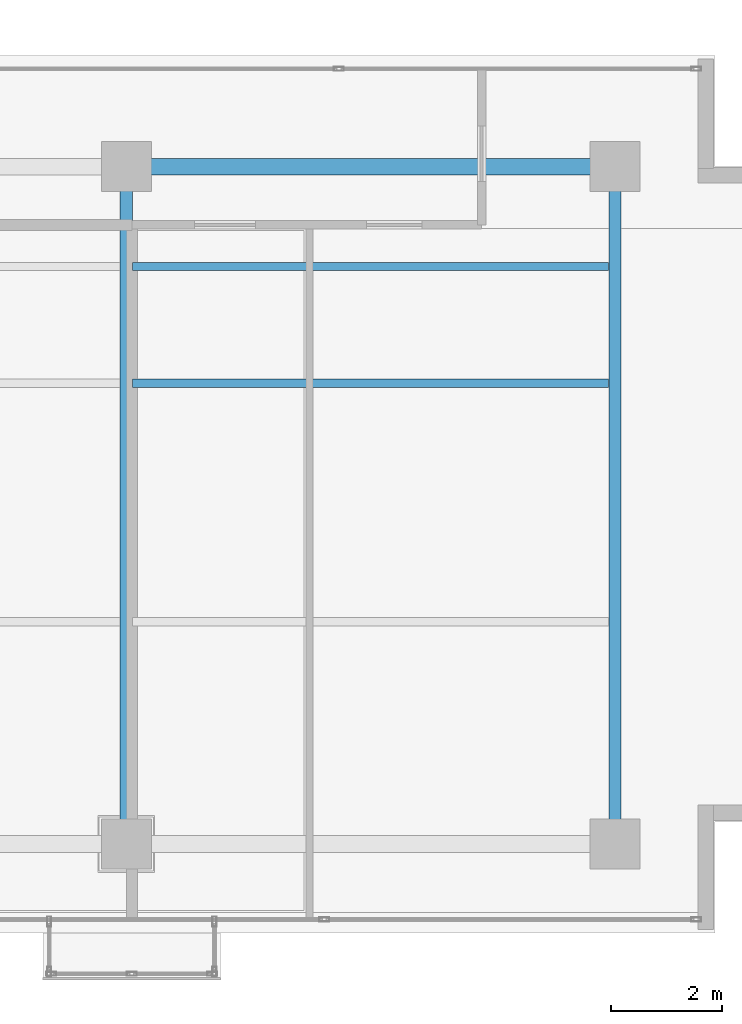
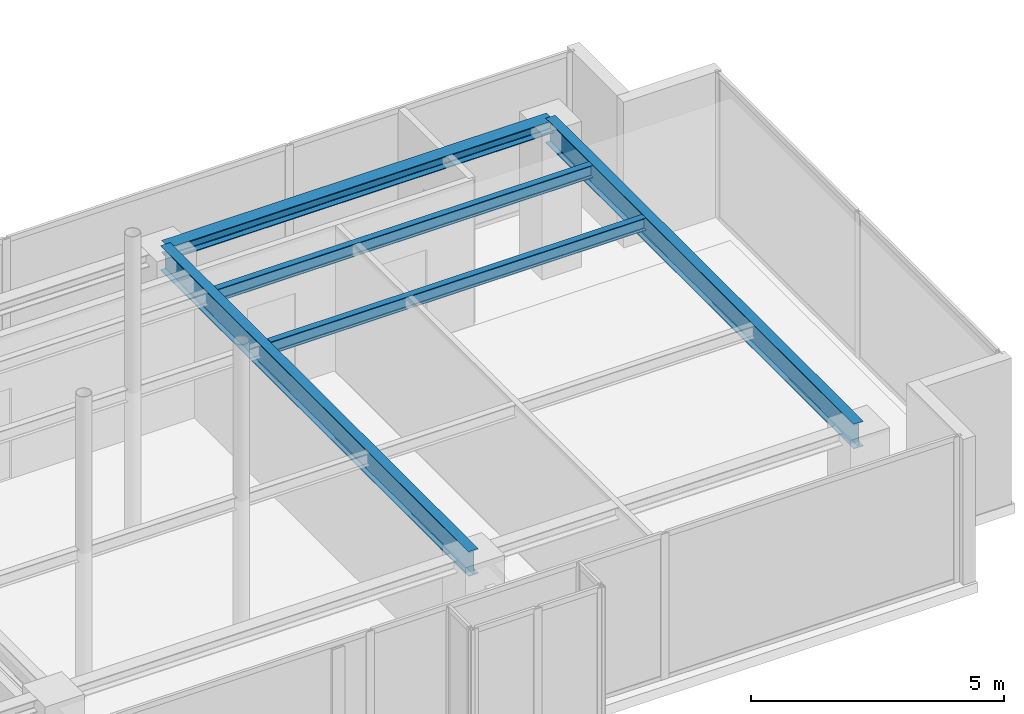
# One storey, part 17 of 32: 5 beams.
"""IFC4 building model written with IfcOpenShell, lengths in metres."""

from ifc_helpers import new_model, si_unit, direction, frame, origin, origin_2d, place, context, subcontext, project, spatial, i_section, extrude, material, material_profile, profile_set, type_object, element, save


model = new_model("IFC4")

# Units and contexts
model_context = context("Model", 3, precision=1e-05, world=origin(), true_north=direction((0.0, 1.0)))
body_context = subcontext(model_context, "Body", "Model", "MODEL_VIEW")
ifc_project = project(units=[si_unit("LENGTHUNIT", "METRE"), si_unit("AREAUNIT", "SQUARE_METRE"), si_unit("VOLUMEUNIT", "CUBIC_METRE"), si_unit("PLANEANGLEUNIT", "RADIAN"), si_unit("MASSUNIT", "GRAM", prefix="KILO")], contexts=[model_context])

# Site, building, storey
site_placement = place(None, origin())
site = spatial("IfcSite", under=ifc_project, at=site_placement, CompositionType="ELEMENT")
building_placement = place(site_placement, origin())
building = spatial("IfcBuilding", under=site, at=building_placement, Name="Kolvaren Waterfront Exchange", CompositionType="ELEMENT")
storey_placement = place(building_placement, frame((0.0, 0.0, 348.10009765625)))
storey = spatial("IfcBuildingStorey", under=building, at=storey_placement, Name="L89", CompositionType="ELEMENT", Elevation=348.10009765625)

# Beams
ifc_material = material(Name="Steel S355", Category="steel")
ifc_material_profile_1 = material_profile(ifc_material, i_section(OverallWidth=0.300048828125, OverallDepth=0.300048828125, WebThickness=0.010986328125, FlangeThickness=0.01904296875, FilletRadius=0.027099609375, at=origin_2d()), Name="HEB300")
ifc_profile_set_1 = profile_set([ifc_material_profile_1], Name="Steel S355")
beam_type_1 = type_object("IfcBeamType", Name="STR-BM-HEB300", PredefinedType="SPANDREL", material=ifc_profile_set_1)
beam_placement = place(storey_placement, frame((36.800048828125, 17.39990234375, 3.369873046875), z_axis=(1.0, 0.0, 0.0), x_axis=(0.0, 1.0, 0.0)))
element("IfcBeam", 1, at=beam_placement, inside=storey, type_object=beam_type_1, Name="L89 east-arm spandrel N3", PredefinedType="SPANDREL", context=body_context, shape_type="SweptSolid", body=[
    extrude(i_section(OverallWidth=0.300048828125, OverallDepth=0.300048828125, WebThickness=0.010986328125, FlangeThickness=0.01904296875, FilletRadius=0.027099609375, at=origin_2d()), origin(), (0.0, 0.0, 1.0), 8.800048828125),
])
ifc_material_profile_2 = material_profile(ifc_material, i_section(OverallWidth=0.14990234375, OverallDepth=0.300048828125, WebThickness=0.007080078125, FlangeThickness=0.0107421875, FilletRadius=0.014892578125, at=origin_2d()), Name="IPE300")
ifc_profile_set_2 = profile_set([ifc_material_profile_2], Name="Steel S355")
beam_type_2 = type_object("IfcBeamType", Name="STR-BM-IPE300", PredefinedType="JOIST", material=ifc_profile_set_2)
for number, where, z_axis, x_axis, name in (
    (2, (36.912109375, 13.5, 3.369873046875), (1.0, 0.0, 0.0), (0.0, 1.0, 0.0), "L89 east-arm composite joist 3A"),
    (3, (36.912109375, 15.60009765625, 3.369873046875), (1.0, 0.0, 0.0), (0.0, 1.0, 0.0), "L89 east-arm composite joist 3C"),
):
    element("IfcBeam", number, at=place(storey_placement, frame(where, z_axis=z_axis, x_axis=x_axis)), inside=storey, type_object=beam_type_2, Name=name, PredefinedType="JOIST", context=body_context, shape_type="SweptSolid", body=[
        extrude(i_section(OverallWidth=0.14990234375, OverallDepth=0.300048828125, WebThickness=0.007080078125, FlangeThickness=0.0107421875, FilletRadius=0.014892578125, at=origin_2d()), origin(), (0.0, 0.0, 1.0), 8.575927734375),
    ])
ifc_material_profile_3 = material_profile(ifc_material, i_section(OverallWidth=0.219970703125, OverallDepth=0.60009765625, WebThickness=0.011962890625, FlangeThickness=0.01904296875, FilletRadius=0.02392578125, at=origin_2d()), Name="IPE600")
ifc_profile_set_3 = profile_set([ifc_material_profile_3], Name="Steel S355")
beam_type_3 = type_object("IfcBeamType", Name="STR-BM-IPE600", PredefinedType="BEAM", material=ifc_profile_set_3)
for number, where, z_axis, x_axis, name in (
    (4, (36.800048828125, 5.199951171875, 3.219970703125), (0.0, 1.0, 0.0), (-1.0, 0.0, 0.0), "L89 east-arm transverse girder X36"),
    (5, (45.60009765625, 5.199951171875, 3.219970703125), (0.0, 1.0, 0.0), (-1.0, 0.0, 0.0), "L89 east-arm transverse girder X45"),
):
    element("IfcBeam", number, at=place(storey_placement, frame(where, z_axis=z_axis, x_axis=x_axis)), inside=storey, type_object=beam_type_3, Name=name, PredefinedType="BEAM", context=body_context, shape_type="SweptSolid", body=[
        extrude(i_section(OverallWidth=0.219970703125, OverallDepth=0.60009765625, WebThickness=0.011962890625, FlangeThickness=0.01904296875, FilletRadius=0.02392578125, at=origin_2d()), origin(), (0.0, 0.0, 1.0), 12.199951171875),
    ])

save(model, "model.ifc")
